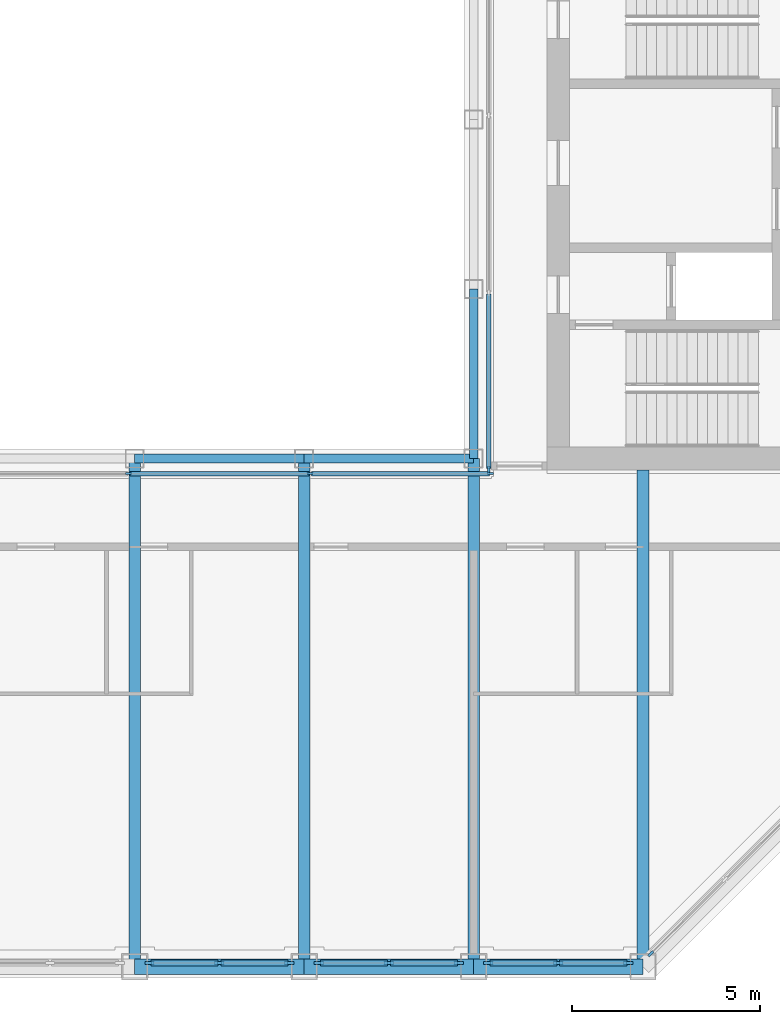
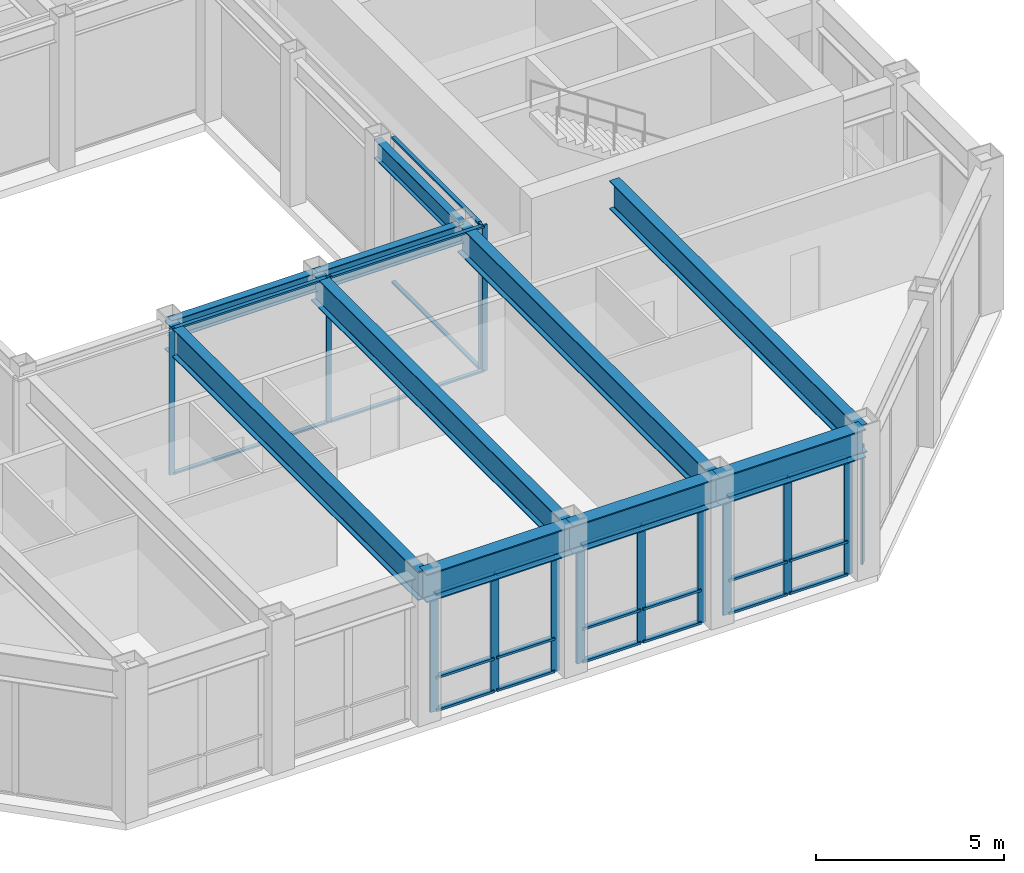
# One storey, part 3 of 15: 38 members, 10 beams, 6 elements without a shape of their own.
"""IFC4 building model written with IfcOpenShell, lengths in metres."""

from ifc_helpers import new_model, si_unit, direction, frame, origin, origin_2d, place, context, subcontext, project, spatial, rectangle, i_section, extrude, material, material_profile, profile_set, type_object, element, aggregate, save


model = new_model("IFC4")

# Units and contexts
model_context = context("Model", 3, precision=1e-05, world=origin(), true_north=direction((0.0, 1.0)))
body_context = subcontext(model_context, "Body", "Model", "MODEL_VIEW")
ifc_project = project(units=[si_unit("LENGTHUNIT", "METRE"), si_unit("AREAUNIT", "SQUARE_METRE"), si_unit("VOLUMEUNIT", "CUBIC_METRE"), si_unit("PLANEANGLEUNIT", "RADIAN"), si_unit("MASSUNIT", "GRAM", prefix="KILO")], contexts=[model_context])

# Site, building, storey
site_placement = place(None, origin())
site = spatial("IfcSite", under=ifc_project, at=site_placement, CompositionType="ELEMENT")
building_placement = place(site_placement, origin())
building = spatial("IfcBuilding", under=site, at=building_placement, Name="Msasa Ring Tower", CompositionType="ELEMENT")
storey_placement = place(building_placement, frame((0.0, 0.0, 257.050048828125)))
storey = spatial("IfcBuildingStorey", under=building, at=storey_placement, Name="L67", CompositionType="ELEMENT", Elevation=257.050048828125)

# Curtain wall, member
ifc_material_1 = material(Name="Aluminium curtain wall with clear glass", Category="aluminium")
curtain_wall_type_1 = type_object("IfcCurtainWallType", Name="CW-C CHAMFER CORNER CURTAIN WALL", PredefinedType="NOTDEFINED", material=ifc_material_1)
curtain_wall_1_placement = place(storey_placement, origin())
curtain_wall_1 = element("IfcCurtainWall", 1, at=curtain_wall_1_placement, inside=storey, type_object=curtain_wall_type_1, Name="Chamfer corner curtain wall SE L67", PredefinedType="NOTDEFINED")
ifc_material_2 = material(Name="Aluminium mullion", Category="aluminium")
ifc_material_profile_1 = material_profile(ifc_material_2, rectangle(XDim=0.06494140625, YDim=0.179931640625, at=origin_2d()), Name="AL 65x180")
ifc_profile_set_1 = profile_set([ifc_material_profile_1], Name="Aluminium mullion")
member_type_1 = type_object("IfcMemberType", Name="CW-C MULLION 65x180", PredefinedType="MULLION", material=ifc_profile_set_1)
member_1_placement = place(storey_placement, frame((11.453369140625, -19.9052734375, 0.0), z_axis=(0.0, 0.0, 1.0), x_axis=(-0.707106781187, 0.707106781187, 0.0)))
member_1 = element("IfcMember", 2, at=member_1_placement, type_object=member_type_1, Name="CW-C mullion 1", PredefinedType="MULLION", context=body_context, shape_type="SweptSolid", body=[
    extrude(rectangle(XDim=0.06494140625, YDim=0.179931640625, at=origin_2d()), origin(), (0.0, 0.0, 1.0), 3.828857421875),
])
aggregate(curtain_wall_1, [member_1])

# Curtain wall, members
ifc_material_3 = material(Name="Aluminium curtain wall with clear glass", Category="aluminium")
curtain_wall_type_2 = type_object("IfcCurtainWallType", Name="CW-S SKY LOBBY CURTAIN WALL", PredefinedType="NOTDEFINED", material=ifc_material_3)
curtain_wall_2_placement = place(storey_placement, origin())
curtain_wall_2 = element("IfcCurtainWall", 3, at=curtain_wall_2_placement, inside=storey, type_object=curtain_wall_type_2, Name="Sky lobby curtain wall S L67", PredefinedType="NOTDEFINED")
ifc_material_4 = material(Name="Aluminium mullion", Category="aluminium")
ifc_material_profile_2 = material_profile(ifc_material_4, rectangle(XDim=0.074951171875, YDim=0.25, at=origin_2d()), Name="AL 75x250")
ifc_profile_set_2 = profile_set([ifc_material_profile_2], Name="Aluminium mullion")
member_type_2 = type_object("IfcMemberType", Name="CW-S MULLION 75x250", PredefinedType="MULLION", material=ifc_profile_set_2)
member_2_placement = place(storey_placement, frame((-1.857421875, -20.14990234375, 0.0), z_axis=(0.0, 0.0, 1.0), x_axis=(0.0, 1.0, 0.0)))
member_2 = element("IfcMember", 4, at=member_2_placement, type_object=member_type_2, Name="CW-S mullion 1", PredefinedType="MULLION", context=body_context, shape_type="SweptSolid", body=[
    extrude(rectangle(XDim=0.074951171875, YDim=0.25, at=origin_2d()), origin(), (0.0, 0.0, 1.0), 3.828857421875),
])
member_3_placement = place(storey_placement, frame((0.0, -20.14990234375, 0.0), z_axis=(0.0, 0.0, 1.0), x_axis=(0.0, 1.0, 0.0)))
member_3 = element("IfcMember", 5, at=member_3_placement, type_object=member_type_2, Name="CW-S mullion 2", PredefinedType="MULLION", context=body_context, shape_type="SweptSolid", body=[
    extrude(rectangle(XDim=0.074951171875, YDim=0.25, at=origin_2d()), origin(), (0.0, 0.0, 1.0), 3.828857421875),
])
member_4_placement = place(storey_placement, frame((1.857421875, -20.14990234375, 0.0), z_axis=(0.0, 0.0, 1.0), x_axis=(0.0, 1.0, 0.0)))
member_4 = element("IfcMember", 6, at=member_4_placement, type_object=member_type_2, Name="CW-S mullion 3", PredefinedType="MULLION", context=body_context, shape_type="SweptSolid", body=[
    extrude(rectangle(XDim=0.074951171875, YDim=0.25, at=origin_2d()), origin(), (0.0, 0.0, 1.0), 3.828857421875),
])

curtain_wall_3_placement = place(storey_placement, origin())
curtain_wall_3 = element("IfcCurtainWall", 7, at=curtain_wall_3_placement, inside=storey, type_object=curtain_wall_type_2, Name="Sky lobby curtain wall S L67", PredefinedType="NOTDEFINED")
member_5_placement = place(storey_placement, frame((2.642578125, -20.14990234375, 0.0), z_axis=(0.0, 0.0, 1.0), x_axis=(0.0, 1.0, 0.0)))
member_5 = element("IfcMember", 8, at=member_5_placement, type_object=member_type_2, Name="CW-S mullion 1", PredefinedType="MULLION", context=body_context, shape_type="SweptSolid", body=[
    extrude(rectangle(XDim=0.074951171875, YDim=0.25, at=origin_2d()), origin(), (0.0, 0.0, 1.0), 3.828857421875),
])
member_6_placement = place(storey_placement, frame((4.5, -20.14990234375, 0.0), z_axis=(0.0, 0.0, 1.0), x_axis=(0.0, 1.0, 0.0)))
member_6 = element("IfcMember", 9, at=member_6_placement, type_object=member_type_2, Name="CW-S mullion 2", PredefinedType="MULLION", context=body_context, shape_type="SweptSolid", body=[
    extrude(rectangle(XDim=0.074951171875, YDim=0.25, at=origin_2d()), origin(), (0.0, 0.0, 1.0), 3.828857421875),
])
member_7_placement = place(storey_placement, frame((6.357421875, -20.14990234375, 0.0), z_axis=(0.0, 0.0, 1.0), x_axis=(0.0, 1.0, 0.0)))
member_7 = element("IfcMember", 10, at=member_7_placement, type_object=member_type_2, Name="CW-S mullion 3", PredefinedType="MULLION", context=body_context, shape_type="SweptSolid", body=[
    extrude(rectangle(XDim=0.074951171875, YDim=0.25, at=origin_2d()), origin(), (0.0, 0.0, 1.0), 3.828857421875),
])

curtain_wall_4_placement = place(storey_placement, origin())
curtain_wall_4 = element("IfcCurtainWall", 11, at=curtain_wall_4_placement, inside=storey, type_object=curtain_wall_type_2, Name="Sky lobby curtain wall S L67", PredefinedType="NOTDEFINED")
member_8_placement = place(storey_placement, frame((7.142578125, -20.14990234375, 0.0), z_axis=(0.0, 0.0, 1.0), x_axis=(0.0, 1.0, 0.0)))
member_8 = element("IfcMember", 12, at=member_8_placement, type_object=member_type_2, Name="CW-S mullion 1", PredefinedType="MULLION", context=body_context, shape_type="SweptSolid", body=[
    extrude(rectangle(XDim=0.074951171875, YDim=0.25, at=origin_2d()), origin(), (0.0, 0.0, 1.0), 3.828857421875),
])
member_9_placement = place(storey_placement, frame((9.0, -20.14990234375, 0.0), z_axis=(0.0, 0.0, 1.0), x_axis=(0.0, 1.0, 0.0)))
member_9 = element("IfcMember", 13, at=member_9_placement, type_object=member_type_2, Name="CW-S mullion 2", PredefinedType="MULLION", context=body_context, shape_type="SweptSolid", body=[
    extrude(rectangle(XDim=0.074951171875, YDim=0.25, at=origin_2d()), origin(), (0.0, 0.0, 1.0), 3.828857421875),
])
member_10_placement = place(storey_placement, frame((10.857421875, -20.14990234375, 0.0), z_axis=(0.0, 0.0, 1.0), x_axis=(0.0, 1.0, 0.0)))
member_10 = element("IfcMember", 14, at=member_10_placement, type_object=member_type_2, Name="CW-S mullion 3", PredefinedType="MULLION", context=body_context, shape_type="SweptSolid", body=[
    extrude(rectangle(XDim=0.074951171875, YDim=0.25, at=origin_2d()), origin(), (0.0, 0.0, 1.0), 3.828857421875),
])

# Member
ifc_material_5 = material(Name="Aluminium transom", Category="aluminium")
ifc_material_profile_3 = material_profile(ifc_material_5, rectangle(XDim=0.159912109375, YDim=0.074951171875, at=origin_2d()), Name="AL 75x160")
ifc_profile_set_3 = profile_set([ifc_material_profile_3], Name="Aluminium transom")
member_type_3 = type_object("IfcMemberType", Name="CW-S TRANSOM 75x160", PredefinedType="USERDEFINED", material=ifc_profile_set_3)
member_11_placement = place(storey_placement, frame((-1.820068359375, -20.14990234375, 0.037353515625), z_axis=(1.0, 0.0, 0.0), x_axis=(0.0, 1.0, 0.0)))
member_11 = element("IfcMember", 15, at=member_11_placement, type_object=member_type_3, Name="CW-S transom 1.1", ObjectType="TRANSOM", PredefinedType="USERDEFINED", context=body_context, shape_type="SweptSolid", body=[
    extrude(rectangle(XDim=0.159912109375, YDim=0.074951171875, at=origin_2d()), origin(), (0.0, 0.0, 1.0), 1.782470703125),
])

member_12_placement = place(storey_placement, frame((-1.820068359375, -20.14990234375, 1.099853515625), z_axis=(1.0, 0.0, 0.0), x_axis=(0.0, 1.0, 0.0)))
member_12 = element("IfcMember", 16, at=member_12_placement, type_object=member_type_3, Name="CW-S transom 1.2", ObjectType="TRANSOM", PredefinedType="USERDEFINED", context=body_context, shape_type="SweptSolid", body=[
    extrude(rectangle(XDim=0.159912109375, YDim=0.074951171875, at=origin_2d()), origin(), (0.0, 0.0, 1.0), 1.782470703125),
])

member_13_placement = place(storey_placement, frame((-1.820068359375, -20.14990234375, 3.79150390625), z_axis=(1.0, 0.0, 0.0), x_axis=(0.0, 1.0, 0.0)))
member_13 = element("IfcMember", 17, at=member_13_placement, type_object=member_type_3, Name="CW-S transom 1.3", ObjectType="TRANSOM", PredefinedType="USERDEFINED", context=body_context, shape_type="SweptSolid", body=[
    extrude(rectangle(XDim=0.159912109375, YDim=0.074951171875, at=origin_2d()), origin(), (0.0, 0.0, 1.0), 1.782470703125),
])

member_14_placement = place(storey_placement, frame((0.03759765625, -20.14990234375, 0.037353515625), z_axis=(1.0, 0.0, 0.0), x_axis=(0.0, 1.0, 0.0)))
member_14 = element("IfcMember", 18, at=member_14_placement, type_object=member_type_3, Name="CW-S transom 2.1", ObjectType="TRANSOM", PredefinedType="USERDEFINED", context=body_context, shape_type="SweptSolid", body=[
    extrude(rectangle(XDim=0.159912109375, YDim=0.074951171875, at=origin_2d()), origin(), (0.0, 0.0, 1.0), 1.782470703125),
])

member_15_placement = place(storey_placement, frame((0.03759765625, -20.14990234375, 1.099853515625), z_axis=(1.0, 0.0, 0.0), x_axis=(0.0, 1.0, 0.0)))
member_15 = element("IfcMember", 19, at=member_15_placement, type_object=member_type_3, Name="CW-S transom 2.2", ObjectType="TRANSOM", PredefinedType="USERDEFINED", context=body_context, shape_type="SweptSolid", body=[
    extrude(rectangle(XDim=0.159912109375, YDim=0.074951171875, at=origin_2d()), origin(), (0.0, 0.0, 1.0), 1.782470703125),
])

member_16_placement = place(storey_placement, frame((0.03759765625, -20.14990234375, 3.79150390625), z_axis=(1.0, 0.0, 0.0), x_axis=(0.0, 1.0, 0.0)))
member_16 = element("IfcMember", 20, at=member_16_placement, type_object=member_type_3, Name="CW-S transom 2.3", ObjectType="TRANSOM", PredefinedType="USERDEFINED", context=body_context, shape_type="SweptSolid", body=[
    extrude(rectangle(XDim=0.159912109375, YDim=0.074951171875, at=origin_2d()), origin(), (0.0, 0.0, 1.0), 1.782470703125),
])

aggregate(curtain_wall_2, [member_2, member_3, member_4, member_11, member_12, member_13, member_14, member_15, member_16])

member_17_placement = place(storey_placement, frame((2.679931640625, -20.14990234375, 0.037353515625), z_axis=(1.0, 0.0, 0.0), x_axis=(0.0, 1.0, 0.0)))
member_17 = element("IfcMember", 21, at=member_17_placement, type_object=member_type_3, Name="CW-S transom 1.1", ObjectType="TRANSOM", PredefinedType="USERDEFINED", context=body_context, shape_type="SweptSolid", body=[
    extrude(rectangle(XDim=0.159912109375, YDim=0.074951171875, at=origin_2d()), origin(), (0.0, 0.0, 1.0), 1.782470703125),
])

member_18_placement = place(storey_placement, frame((2.679931640625, -20.14990234375, 1.099853515625), z_axis=(1.0, 0.0, 0.0), x_axis=(0.0, 1.0, 0.0)))
member_18 = element("IfcMember", 22, at=member_18_placement, type_object=member_type_3, Name="CW-S transom 1.2", ObjectType="TRANSOM", PredefinedType="USERDEFINED", context=body_context, shape_type="SweptSolid", body=[
    extrude(rectangle(XDim=0.159912109375, YDim=0.074951171875, at=origin_2d()), origin(), (0.0, 0.0, 1.0), 1.782470703125),
])

member_19_placement = place(storey_placement, frame((2.679931640625, -20.14990234375, 3.79150390625), z_axis=(1.0, 0.0, 0.0), x_axis=(0.0, 1.0, 0.0)))
member_19 = element("IfcMember", 23, at=member_19_placement, type_object=member_type_3, Name="CW-S transom 1.3", ObjectType="TRANSOM", PredefinedType="USERDEFINED", context=body_context, shape_type="SweptSolid", body=[
    extrude(rectangle(XDim=0.159912109375, YDim=0.074951171875, at=origin_2d()), origin(), (0.0, 0.0, 1.0), 1.782470703125),
])

member_20_placement = place(storey_placement, frame((4.53759765625, -20.14990234375, 0.037353515625), z_axis=(1.0, 0.0, 0.0), x_axis=(0.0, 1.0, 0.0)))
member_20 = element("IfcMember", 24, at=member_20_placement, type_object=member_type_3, Name="CW-S transom 2.1", ObjectType="TRANSOM", PredefinedType="USERDEFINED", context=body_context, shape_type="SweptSolid", body=[
    extrude(rectangle(XDim=0.159912109375, YDim=0.074951171875, at=origin_2d()), origin(), (0.0, 0.0, 1.0), 1.782470703125),
])

member_21_placement = place(storey_placement, frame((4.53759765625, -20.14990234375, 1.099853515625), z_axis=(1.0, 0.0, 0.0), x_axis=(0.0, 1.0, 0.0)))
member_21 = element("IfcMember", 25, at=member_21_placement, type_object=member_type_3, Name="CW-S transom 2.2", ObjectType="TRANSOM", PredefinedType="USERDEFINED", context=body_context, shape_type="SweptSolid", body=[
    extrude(rectangle(XDim=0.159912109375, YDim=0.074951171875, at=origin_2d()), origin(), (0.0, 0.0, 1.0), 1.782470703125),
])

member_22_placement = place(storey_placement, frame((4.53759765625, -20.14990234375, 3.79150390625), z_axis=(1.0, 0.0, 0.0), x_axis=(0.0, 1.0, 0.0)))
member_22 = element("IfcMember", 26, at=member_22_placement, type_object=member_type_3, Name="CW-S transom 2.3", ObjectType="TRANSOM", PredefinedType="USERDEFINED", context=body_context, shape_type="SweptSolid", body=[
    extrude(rectangle(XDim=0.159912109375, YDim=0.074951171875, at=origin_2d()), origin(), (0.0, 0.0, 1.0), 1.782470703125),
])

aggregate(curtain_wall_3, [member_5, member_6, member_7, member_17, member_18, member_19, member_20, member_21, member_22])

member_23_placement = place(storey_placement, frame((7.179931640625, -20.14990234375, 0.037353515625), z_axis=(1.0, 0.0, 0.0), x_axis=(0.0, 1.0, 0.0)))
member_23 = element("IfcMember", 27, at=member_23_placement, type_object=member_type_3, Name="CW-S transom 1.1", ObjectType="TRANSOM", PredefinedType="USERDEFINED", context=body_context, shape_type="SweptSolid", body=[
    extrude(rectangle(XDim=0.159912109375, YDim=0.074951171875, at=origin_2d()), origin(), (0.0, 0.0, 1.0), 1.782470703125),
])

member_24_placement = place(storey_placement, frame((7.179931640625, -20.14990234375, 1.099853515625), z_axis=(1.0, 0.0, 0.0), x_axis=(0.0, 1.0, 0.0)))
member_24 = element("IfcMember", 28, at=member_24_placement, type_object=member_type_3, Name="CW-S transom 1.2", ObjectType="TRANSOM", PredefinedType="USERDEFINED", context=body_context, shape_type="SweptSolid", body=[
    extrude(rectangle(XDim=0.159912109375, YDim=0.074951171875, at=origin_2d()), origin(), (0.0, 0.0, 1.0), 1.782470703125),
])

member_25_placement = place(storey_placement, frame((7.179931640625, -20.14990234375, 3.79150390625), z_axis=(1.0, 0.0, 0.0), x_axis=(0.0, 1.0, 0.0)))
member_25 = element("IfcMember", 29, at=member_25_placement, type_object=member_type_3, Name="CW-S transom 1.3", ObjectType="TRANSOM", PredefinedType="USERDEFINED", context=body_context, shape_type="SweptSolid", body=[
    extrude(rectangle(XDim=0.159912109375, YDim=0.074951171875, at=origin_2d()), origin(), (0.0, 0.0, 1.0), 1.782470703125),
])

member_26_placement = place(storey_placement, frame((9.03759765625, -20.14990234375, 0.037353515625), z_axis=(1.0, 0.0, 0.0), x_axis=(0.0, 1.0, 0.0)))
member_26 = element("IfcMember", 30, at=member_26_placement, type_object=member_type_3, Name="CW-S transom 2.1", ObjectType="TRANSOM", PredefinedType="USERDEFINED", context=body_context, shape_type="SweptSolid", body=[
    extrude(rectangle(XDim=0.159912109375, YDim=0.074951171875, at=origin_2d()), origin(), (0.0, 0.0, 1.0), 1.782470703125),
])

member_27_placement = place(storey_placement, frame((9.03759765625, -20.14990234375, 1.099853515625), z_axis=(1.0, 0.0, 0.0), x_axis=(0.0, 1.0, 0.0)))
member_27 = element("IfcMember", 31, at=member_27_placement, type_object=member_type_3, Name="CW-S transom 2.2", ObjectType="TRANSOM", PredefinedType="USERDEFINED", context=body_context, shape_type="SweptSolid", body=[
    extrude(rectangle(XDim=0.159912109375, YDim=0.074951171875, at=origin_2d()), origin(), (0.0, 0.0, 1.0), 1.782470703125),
])

member_28_placement = place(storey_placement, frame((9.03759765625, -20.14990234375, 3.79150390625), z_axis=(1.0, 0.0, 0.0), x_axis=(0.0, 1.0, 0.0)))
member_28 = element("IfcMember", 32, at=member_28_placement, type_object=member_type_3, Name="CW-S transom 2.3", ObjectType="TRANSOM", PredefinedType="USERDEFINED", context=body_context, shape_type="SweptSolid", body=[
    extrude(rectangle(XDim=0.159912109375, YDim=0.074951171875, at=origin_2d()), origin(), (0.0, 0.0, 1.0), 1.782470703125),
])

aggregate(curtain_wall_4, [member_8, member_9, member_10, member_23, member_24, member_25, member_26, member_27, member_28])

# Curtain wall, members
ifc_material_6 = material(Name="Aluminium curtain wall with clear glass", Category="aluminium")
curtain_wall_type_3 = type_object("IfcCurtainWallType", Name="CW-W LIGHT WELL CURTAIN WALL", PredefinedType="NOTDEFINED", material=ifc_material_6)
curtain_wall_5_placement = place(storey_placement, origin())
curtain_wall_5 = element("IfcCurtainWall", 33, at=curtain_wall_5_placement, inside=storey, type_object=curtain_wall_type_3, Name="Light well curtain wall S L67", PredefinedType="NOTDEFINED")
ifc_material_7 = material(Name="Aluminium mullion", Category="aluminium")
ifc_material_profile_4 = material_profile(ifc_material_7, rectangle(XDim=0.06005859375, YDim=0.159912109375, at=origin_2d()), Name="AL 60x160")
ifc_profile_set_4 = profile_set([ifc_material_profile_4], Name="Aluminium mullion")
member_type_4 = type_object("IfcMemberType", Name="CW-W MULLION 60x160", PredefinedType="MULLION", material=ifc_profile_set_4)
member_29_placement = place(storey_placement, frame((-2.409912109375, -7.14990234375, 0.0), z_axis=(0.0, 0.0, 1.0), x_axis=(0.0, 1.0, 0.0)))
member_29 = element("IfcMember", 34, at=member_29_placement, type_object=member_type_4, Name="CW-W mullion 2", PredefinedType="MULLION", context=body_context, shape_type="SweptSolid", body=[
    extrude(rectangle(XDim=0.06005859375, YDim=0.159912109375, at=origin_2d()), origin(), (0.0, 0.0, 1.0), 4.75),
])
member_30_placement = place(storey_placement, frame((2.409912109375, -7.14990234375, 0.0), z_axis=(0.0, 0.0, 1.0), x_axis=(0.0, 1.0, 0.0)))
member_30 = element("IfcMember", 35, at=member_30_placement, type_object=member_type_4, Name="CW-W mullion 3", PredefinedType="MULLION", context=body_context, shape_type="SweptSolid", body=[
    extrude(rectangle(XDim=0.06005859375, YDim=0.159912109375, at=origin_2d()), origin(), (0.0, 0.0, 1.0), 4.75),
])
member_31_placement = place(storey_placement, frame((7.199951171875, -7.14990234375, 0.0), z_axis=(0.0, 0.0, 1.0), x_axis=(0.0, 1.0, 0.0)))
member_31 = element("IfcMember", 36, at=member_31_placement, type_object=member_type_4, Name="CW-W mullion 4", PredefinedType="MULLION", context=body_context, shape_type="SweptSolid", body=[
    extrude(rectangle(XDim=0.06005859375, YDim=0.159912109375, at=origin_2d()), origin(), (0.0, 0.0, 1.0), 4.75),
])

# Curtain wall, member
curtain_wall_6_placement = place(storey_placement, origin())
curtain_wall_6 = element("IfcCurtainWall", 37, at=curtain_wall_6_placement, inside=storey, type_object=curtain_wall_type_3, Name="Light well curtain wall E L67", PredefinedType="NOTDEFINED")
member_32_placement = place(storey_placement, frame((7.14990234375, -7.0400390625, 0.0), z_axis=(0.0, 0.0, 1.0), x_axis=(-1.0, 0.0, 0.0)))
member_32 = element("IfcMember", 38, at=member_32_placement, type_object=member_type_4, Name="CW-W mullion 1", PredefinedType="MULLION", context=body_context, shape_type="SweptSolid", body=[
    extrude(rectangle(XDim=0.06005859375, YDim=0.159912109375, at=origin_2d()), origin(), (0.0, 0.0, 1.0), 4.75),
])

# Member
ifc_material_8 = material(Name="Aluminium transom", Category="aluminium")
ifc_material_profile_5 = material_profile(ifc_material_8, rectangle(XDim=0.1201171875, YDim=0.06005859375, at=origin_2d()), Name="AL 60x120")
ifc_profile_set_5 = profile_set([ifc_material_profile_5], Name="Aluminium transom")
member_type_5 = type_object("IfcMemberType", Name="CW-W TRANSOM 60x120", PredefinedType="USERDEFINED", material=ifc_profile_set_5)
member_33_placement = place(storey_placement, frame((-2.3798828125, -7.14990234375, 0.030029296875), z_axis=(1.0, 0.0, 0.0), x_axis=(0.0, 1.0, 0.0)))
member_33 = element("IfcMember", 39, at=member_33_placement, type_object=member_type_5, Name="CW-W transom 2.1", ObjectType="TRANSOM", PredefinedType="USERDEFINED", context=body_context, shape_type="SweptSolid", body=[
    extrude(rectangle(XDim=0.1201171875, YDim=0.06005859375, at=origin_2d()), origin(), (0.0, 0.0, 1.0), 4.759765625),
])

member_34_placement = place(storey_placement, frame((-2.3798828125, -7.14990234375, 4.719970703125), z_axis=(1.0, 0.0, 0.0), x_axis=(0.0, 1.0, 0.0)))
member_34 = element("IfcMember", 40, at=member_34_placement, type_object=member_type_5, Name="CW-W transom 2.2", ObjectType="TRANSOM", PredefinedType="USERDEFINED", context=body_context, shape_type="SweptSolid", body=[
    extrude(rectangle(XDim=0.1201171875, YDim=0.06005859375, at=origin_2d()), origin(), (0.0, 0.0, 1.0), 4.759765625),
])

member_35_placement = place(storey_placement, frame((2.43994140625, -7.14990234375, 0.030029296875), z_axis=(1.0, 0.0, 0.0), x_axis=(0.0, 1.0, 0.0)))
member_35 = element("IfcMember", 41, at=member_35_placement, type_object=member_type_5, Name="CW-W transom 3.1", ObjectType="TRANSOM", PredefinedType="USERDEFINED", context=body_context, shape_type="SweptSolid", body=[
    extrude(rectangle(XDim=0.1201171875, YDim=0.06005859375, at=origin_2d()), origin(), (0.0, 0.0, 1.0), 4.72998046875),
])

member_36_placement = place(storey_placement, frame((2.43994140625, -7.14990234375, 4.719970703125), z_axis=(1.0, 0.0, 0.0), x_axis=(0.0, 1.0, 0.0)))
member_36 = element("IfcMember", 42, at=member_36_placement, type_object=member_type_5, Name="CW-W transom 3.2", ObjectType="TRANSOM", PredefinedType="USERDEFINED", context=body_context, shape_type="SweptSolid", body=[
    extrude(rectangle(XDim=0.1201171875, YDim=0.06005859375, at=origin_2d()), origin(), (0.0, 0.0, 1.0), 4.72998046875),
])

aggregate(curtain_wall_5, [member_29, member_30, member_31, member_33, member_34, member_35, member_36])

member_37_placement = place(storey_placement, frame((7.14990234375, -7.010009765625, 0.030029296875), z_axis=(0.0, 1.0, 0.0), x_axis=(-1.0, 0.0, 0.0)))
member_37 = element("IfcMember", 43, at=member_37_placement, type_object=member_type_5, Name="CW-W transom 1.1", ObjectType="TRANSOM", PredefinedType="USERDEFINED", context=body_context, shape_type="SweptSolid", body=[
    extrude(rectangle(XDim=0.1201171875, YDim=0.06005859375, at=origin_2d()), origin(), (0.0, 0.0, 1.0), 4.623291015625),
])

member_38_placement = place(storey_placement, frame((7.14990234375, -7.010009765625, 4.719970703125), z_axis=(0.0, 1.0, 0.0), x_axis=(-1.0, 0.0, 0.0)))
member_38 = element("IfcMember", 44, at=member_38_placement, type_object=member_type_5, Name="CW-W transom 1.2", ObjectType="TRANSOM", PredefinedType="USERDEFINED", context=body_context, shape_type="SweptSolid", body=[
    extrude(rectangle(XDim=0.1201171875, YDim=0.06005859375, at=origin_2d()), origin(), (0.0, 0.0, 1.0), 4.623291015625),
])

aggregate(curtain_wall_6, [member_32, member_37, member_38])

# Beams
ifc_material_9 = material(Name="Steel S355", Category="steel")
ifc_material_profile_6 = material_profile(ifc_material_9, i_section(OverallWidth=0.3076171875, OverallDepth=0.926513671875, WebThickness=0.01953125, FlangeThickness=0.031982421875, FilletRadius=0.01904296875, at=origin_2d()), Name="UB 914x305x289")
ifc_profile_set_6 = profile_set([ifc_material_profile_6], Name="Steel S355")
beam_type_1 = type_object("IfcBeamType", Name="FB3 UB 914x305x289", PredefinedType="BEAM", material=ifc_profile_set_6)
for number, where, z_axis, x_axis, name in (
    (45, (-2.25, -20.25, 4.28662109375), (0.0, 1.0, 0.0), (-1.0, 0.0, 0.0), "Floor beam S-2.25 under L68"),
    (46, (2.25, -20.25, 4.28662109375), (0.0, 1.0, 0.0), (-1.0, 0.0, 0.0), "Floor beam S+2.25 under L68"),
    (47, (6.75, -20.25, 4.28662109375), (0.0, 1.0, 0.0), (-1.0, 0.0, 0.0), "Floor beam S+6.75 under L68"),
):
    element("IfcBeam", number, at=place(storey_placement, frame(where, z_axis=z_axis, x_axis=x_axis)), inside=storey, type_object=beam_type_1, Name=name, PredefinedType="BEAM", context=body_context, shape_type="SweptSolid", body=[
        extrude(i_section(OverallWidth=0.3076171875, OverallDepth=0.926513671875, WebThickness=0.01953125, FlangeThickness=0.031982421875, FilletRadius=0.01904296875, at=origin_2d()), origin(), (0.0, 0.0, 1.0), 13.5),
    ])
beam_placement = place(storey_placement, frame((11.25, -20.25, 4.28662109375), z_axis=(0.0, 1.0, 0.0), x_axis=(-1.0, 0.0, 0.0)))
element("IfcBeam", 48, at=beam_placement, inside=storey, type_object=beam_type_1, Name="Floor beam S+11.25 under L68", PredefinedType="BEAM", context=body_context, shape_type="SweptSolid", body=[
    extrude(i_section(OverallWidth=0.3076171875, OverallDepth=0.926513671875, WebThickness=0.01953125, FlangeThickness=0.031982421875, FilletRadius=0.01904296875, at=origin_2d()), origin(), (0.0, 0.0, 1.0), 13.199951171875),
])
ifc_material_10 = material(Name="Steel S355", Category="steel")
ifc_material_profile_7 = material_profile(ifc_material_10, i_section(OverallWidth=0.230224609375, OverallDepth=0.6171875, WebThickness=0.01318359375, FlangeThickness=0.022216796875, FilletRadius=0.0126953125, at=origin_2d()), Name="UB 610x229x140")
ifc_profile_set_7 = profile_set([ifc_material_profile_7], Name="Steel S355")
beam_type_2 = type_object("IfcBeamType", Name="RB1 UB 610x229x140", PredefinedType="BEAM", material=ifc_profile_set_7)
for number, where, z_axis, x_axis, name in (
    (49, (-2.25, -6.75, 4.44140625), (1.0, 0.0, 0.0), (0.0, 1.0, 0.0), "Inner ring beam IR-2.25-6.75 under L68"),
    (50, (2.25, -6.75, 4.44140625), (1.0, 0.0, 0.0), (0.0, 1.0, 0.0), "Inner ring beam IR+2.25-6.75 under L68"),
    (51, (6.75, -6.75, 4.44140625), (0.0, 1.0, 0.0), (-1.0, 0.0, 0.0), "Inner ring beam IR+6.75-6.75 under L68"),
):
    element("IfcBeam", number, at=place(storey_placement, frame(where, z_axis=z_axis, x_axis=x_axis)), inside=storey, type_object=beam_type_2, Name=name, PredefinedType="BEAM", context=body_context, shape_type="SweptSolid", body=[
        extrude(i_section(OverallWidth=0.230224609375, OverallDepth=0.6171875, WebThickness=0.01318359375, FlangeThickness=0.022216796875, FilletRadius=0.0126953125, at=origin_2d()), origin(), (0.0, 0.0, 1.0), 4.5),
    ])
ifc_material_11 = material(Name="Steel S355", Category="steel")
ifc_material_profile_8 = material_profile(ifc_material_11, i_section(OverallWidth=0.42041015625, OverallDepth=0.9208984375, WebThickness=0.021484375, FlangeThickness=0.03662109375, FilletRadius=0.024169921875, at=origin_2d()), Name="UB 914x419x388")
ifc_profile_set_8 = profile_set([ifc_material_profile_8], Name="Steel S355")
beam_type_3 = type_object("IfcBeamType", Name="SB1 UB 914x419x388", PredefinedType="SPANDREL", material=ifc_profile_set_8)
for number, where, z_axis, x_axis, name in (
    (52, (-2.25, -20.25, 4.28955078125), (1.0, 0.0, 0.0), (0.0, 1.0, 0.0), "Spandrel S-2.25 to S+2.25 under L68"),
    (53, (2.25, -20.25, 4.28955078125), (1.0, 0.0, 0.0), (0.0, 1.0, 0.0), "Spandrel S+2.25 to S+6.75 under L68"),
    (54, (6.75, -20.25, 4.28955078125), (1.0, 0.0, 0.0), (0.0, 1.0, 0.0), "Spandrel S+6.75 to S+11.25 under L68"),
):
    element("IfcBeam", number, at=place(storey_placement, frame(where, z_axis=z_axis, x_axis=x_axis)), inside=storey, type_object=beam_type_3, Name=name, PredefinedType="SPANDREL", context=body_context, shape_type="SweptSolid", body=[
        extrude(i_section(OverallWidth=0.42041015625, OverallDepth=0.9208984375, WebThickness=0.021484375, FlangeThickness=0.03662109375, FilletRadius=0.024169921875, at=origin_2d()), origin(), (0.0, 0.0, 1.0), 4.5),
    ])

save(model, "model.ifc")
